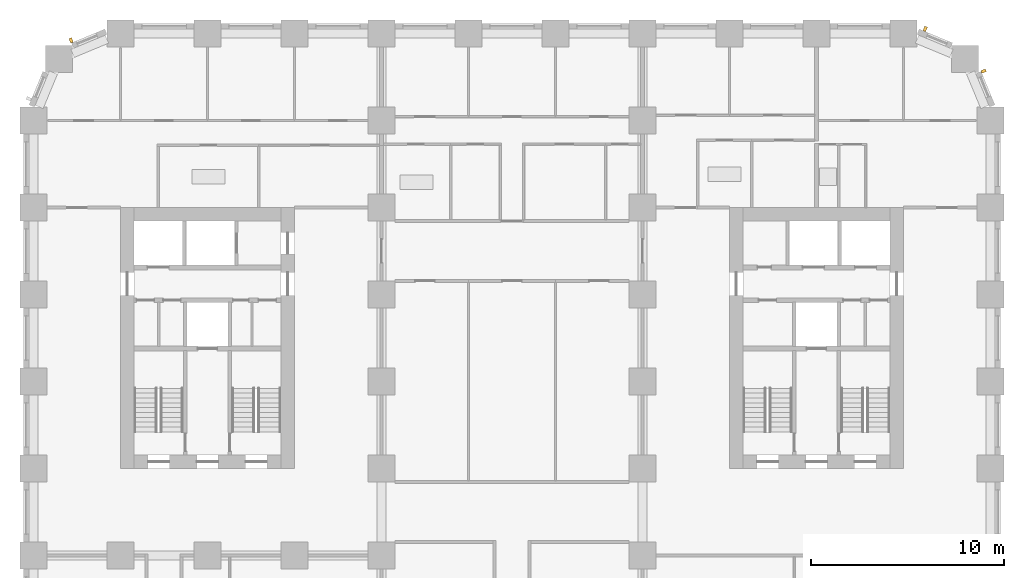
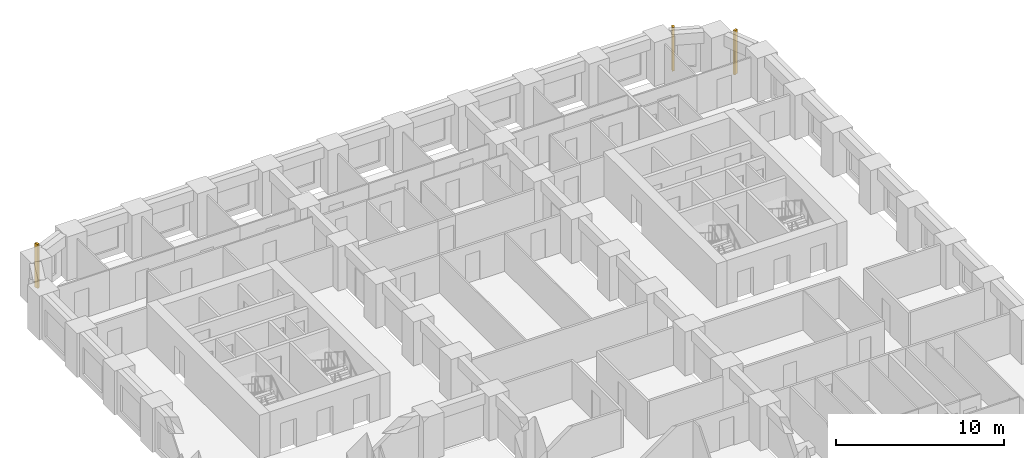
# One storey, part 12 of 13: 3 shading devices.
"""IFC4 building model written with IfcOpenShell, lengths in metres."""

from ifc_helpers import new_model, si_unit, direction, frame, origin, origin_2d, place, context, subcontext, project, spatial, rectangle, extrude, material, type_object, element, save


model = new_model("IFC4")

# Units and contexts
model_context = context("Model", 3, precision=1e-05, world=origin(), true_north=direction((0.0, 1.0)))
body_context = subcontext(model_context, "Body", "Model", "MODEL_VIEW")
ifc_project = project(units=[si_unit("LENGTHUNIT", "METRE"), si_unit("AREAUNIT", "SQUARE_METRE"), si_unit("VOLUMEUNIT", "CUBIC_METRE"), si_unit("PLANEANGLEUNIT", "RADIAN"), si_unit("MASSUNIT", "GRAM", prefix="KILO")], contexts=[model_context])

# Site, building, storey
site_placement = place(None, origin())
site = spatial("IfcSite", under=ifc_project, at=site_placement, CompositionType="ELEMENT")
building_placement = place(site_placement, origin())
building = spatial("IfcBuilding", under=site, at=building_placement, Name="Girih Gate Residences", CompositionType="ELEMENT")
storey_placement = place(building_placement, frame((0.0, 0.0, 56.0)))
storey = spatial("IfcBuildingStorey", under=building, at=storey_placement, Name="L14", CompositionType="ELEMENT", Elevation=56.0)

# Shading devices
ifc_material = material(Name="Precast concrete C50/60", Category="concrete")
shading_device_type = type_object("IfcShadingDeviceType", Name="Corner rib 150x250", PredefinedType="USERDEFINED", material=ifc_material)
for number, where, z_axis, x_axis, name in (
    (1, (49.14501953125, 47.5556640625, 0.0), (0.0, 0.0, 1.0), (-0.382683432365, 0.923879532511, 0.0), "Corner rib NE0495_0450.0"),
    (2, (46.123779296875, 49.738037109375, 0.0), (0.0, 0.0, 1.0), (-0.923879532511, 0.382683432365, 0.0), "Corner rib NE0482_0482.0"),
    (3, (1.9443359375, 49.14501953125, 0.0), (0.0, 0.0, 1.0), (-0.923879532511, -0.382683432365, 0.0), "Corner rib NW0045_0495.0"),
):
    element("IfcShadingDevice", number, at=place(storey_placement, frame(where, z_axis=z_axis, x_axis=x_axis)), inside=storey, type_object=shading_device_type, Name=name, ObjectType="FIN", PredefinedType="USERDEFINED", context=body_context, shape_type="SweptSolid", body=[
        extrude(rectangle(XDim=0.14990234375, YDim=0.25, at=origin_2d()), origin(), (0.0, 0.0, 1.0), 3.199951171875),
    ])

save(model, "model.ifc")
